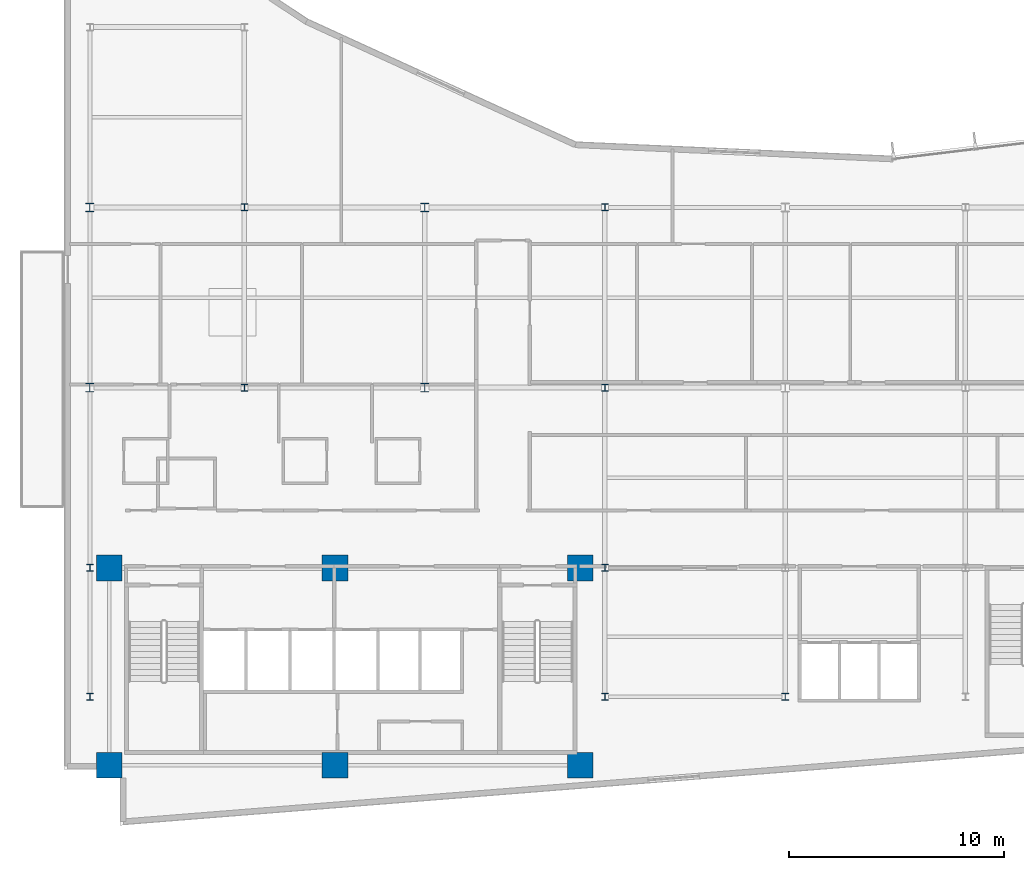
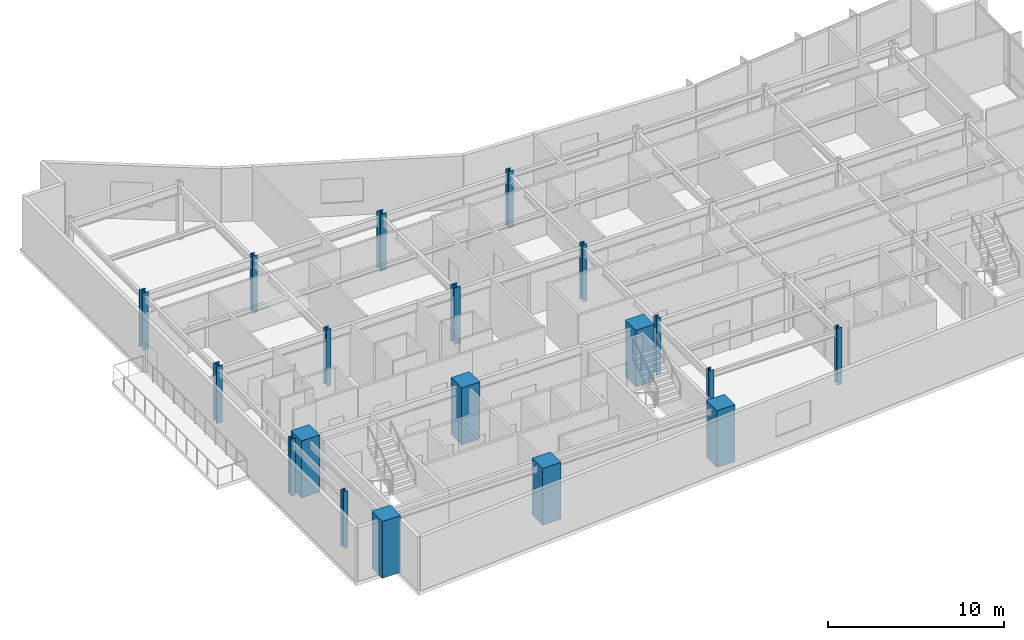
# One storey, part 1 of 17: 19 columns.
"""IFC4 building model written with IfcOpenShell, lengths in metres."""

from ifc_helpers import new_model, si_unit, direction, frame, origin, origin_2d, place, context, subcontext, project, spatial, rectangle, i_section, extrude, material, material_profile, profile_set, type_object, element, save


model = new_model("IFC4")

# Units and contexts
model_context = context("Model", 3, precision=1e-05, world=origin(), true_north=direction((0.0, 1.0)))
body_context = subcontext(model_context, "Body", "Model", "MODEL_VIEW")
ifc_project = project(units=[si_unit("LENGTHUNIT", "METRE"), si_unit("AREAUNIT", "SQUARE_METRE"), si_unit("VOLUMEUNIT", "CUBIC_METRE"), si_unit("PLANEANGLEUNIT", "RADIAN"), si_unit("MASSUNIT", "GRAM", prefix="KILO")], contexts=[model_context])

# Site, building, storey
site_placement = place(None, origin())
site = spatial("IfcSite", under=ifc_project, at=site_placement, CompositionType="ELEMENT")
building_placement = place(site_placement, origin())
building = spatial("IfcBuilding", under=site, at=building_placement, Name="Varnakote Quay Hospital", CompositionType="ELEMENT")
storey_placement = place(building_placement, frame((0.0, 0.0, 127.050048828125)))
storey = spatial("IfcBuildingStorey", under=building, at=storey_placement, Name="L31", CompositionType="ELEMENT", Elevation=127.050048828125)

# Columns
ifc_material_1 = material(Name="Concrete N80 (f'c 80 MPa)", Category="concrete")
ifc_material_profile_1 = material_profile(ifc_material_1, rectangle(XDim=1.199951171875, YDim=1.199951171875, at=origin_2d()), Name="RC-COL-1200x1200")
ifc_profile_set_1 = profile_set([ifc_material_profile_1], Name="Concrete N80 (f'c 80 MPa)")
column_type_1 = type_object("IfcColumnType", Name="COL-RC-1200", PredefinedType="COLUMN", material=ifc_profile_set_1)
for number, where, z_axis, x_axis, name in (
    (1, (2.10009765625, 2.800048828125, 0.0), (0.0, 0.0, 1.0), (1.0, 0.0, 0.0), "L31 Structural Column C-2-3"),
    (2, (12.6201171875, 2.800048828125, 0.0), (0.0, 0.0, 1.0), (1.0, 0.0, 0.0), "L31 Structural Column C-13-3"),
    (3, (24.050048828125, 2.800048828125, 0.0), (0.0, 0.0, 1.0), (1.0, 0.0, 0.0), "L31 Structural Column C-24-3"),
    (4, (2.10009765625, 12.0, 0.0), (0.0, 0.0, 1.0), (1.0, 0.0, 0.0), "L31 Structural Column C-2-12"),
    (5, (12.6201171875, 12.0, 0.0), (0.0, 0.0, 1.0), (1.0, 0.0, 0.0), "L31 Structural Column C-13-12"),
    (6, (24.050048828125, 12.0, 0.0), (0.0, 0.0, 1.0), (1.0, 0.0, 0.0), "L31 Structural Column C-24-12"),
):
    element("IfcColumn", number, at=place(storey_placement, frame(where, z_axis=z_axis, x_axis=x_axis)), inside=storey, type_object=column_type_1, Name=name, PredefinedType="COLUMN", context=body_context, shape_type="SweptSolid", body=[
        extrude(rectangle(XDim=1.199951171875, YDim=1.199951171875, at=origin_2d()), origin(), (0.0, 0.0, 1.0), 3.949951171875),
    ])
ifc_material_2 = material(Name="Structural steel AS/NZS 3679.1 Grade 350 L0 (fy 340 MPa)", Category="steel")
ifc_material_profile_2 = material_profile(ifc_material_2, i_section(OverallWidth=0.30908203125, OverallDepth=0.321044921875, WebThickness=0.013916015625, FlangeThickness=0.021728515625, FilletRadius=0.0166015625, at=origin_2d()), Name="310UC137")
ifc_profile_set_2 = profile_set([ifc_material_profile_2], Name="Structural steel AS/NZS 3679.1 Grade 350 L0 (fy 340 MPa)")
column_type_2 = type_object("IfcColumnType", Name="COL-STL-310UC137", PredefinedType="COLUMN", material=ifc_profile_set_2)
for number, where, z_axis, x_axis, name in (
    (7, (1.199951171875, 6.0, 0.0), (0.0, 0.0, 1.0), (1.0, 0.0, 0.0), "L31 Structural Column C-1-6"),
    (8, (25.199951171875, 6.0, 0.0), (0.0, 0.0, 1.0), (1.0, 0.0, 0.0), "L31 Structural Column C-25-6"),
    (9, (33.60009765625, 6.0, 0.0), (0.0, 0.0, 1.0), (1.0, 0.0, 0.0), "L31 Structural Column C-34-6"),
    (10, (1.199951171875, 12.0, 0.0), (0.0, 0.0, 1.0), (1.0, 0.0, 0.0), "L31 Structural Column C-1-12"),
    (11, (25.199951171875, 12.0, 0.0), (0.0, 0.0, 1.0), (1.0, 0.0, 0.0), "L31 Structural Column C-25-12"),
    (12, (8.39990234375, 20.39990234375, 0.0), (0.0, 0.0, 1.0), (1.0, 0.0, 0.0), "L31 Structural Column C-8-20"),
    (13, (25.199951171875, 20.39990234375, 0.0), (0.0, 0.0, 1.0), (1.0, 0.0, 0.0), "L31 Structural Column C-25-20"),
    (14, (8.39990234375, 28.800048828125, 0.0), (0.0, 0.0, 1.0), (1.0, 0.0, 0.0), "L31 Structural Column C-8-29"),
    (15, (25.199951171875, 28.800048828125, 0.0), (0.0, 0.0, 1.0), (1.0, 0.0, 0.0), "L31 Structural Column C-25-29"),
):
    element("IfcColumn", number, at=place(storey_placement, frame(where, z_axis=z_axis, x_axis=x_axis)), inside=storey, type_object=column_type_2, Name=name, PredefinedType="COLUMN", context=body_context, shape_type="SweptSolid", body=[
        extrude(i_section(OverallWidth=0.30908203125, OverallDepth=0.321044921875, WebThickness=0.013916015625, FlangeThickness=0.021728515625, FilletRadius=0.0166015625, at=origin_2d()), origin(), (0.0, 0.0, 1.0), 3.949951171875),
    ])
ifc_material_3 = material(Name="Structural steel AS/NZS 3678 Grade 350 (fy 340 MPa)", Category="steel")
ifc_material_profile_3 = material_profile(ifc_material_3, i_section(OverallWidth=0.39990234375, OverallDepth=0.419921875, WebThickness=0.02490234375, FlangeThickness=0.0400390625, at=origin_2d()), Name="400WC328")
ifc_profile_set_3 = profile_set([ifc_material_profile_3], Name="Structural steel AS/NZS 3678 Grade 350 (fy 340 MPa)")
column_type_3 = type_object("IfcColumnType", Name="COL-STL-400WC328", PredefinedType="COLUMN", material=ifc_profile_set_3)
for number, where, z_axis, x_axis, name in (
    (16, (1.199951171875, 20.39990234375, 0.0), (0.0, 0.0, 1.0), (1.0, 0.0, 0.0), "L31 Structural Column C-1-20"),
    (17, (16.800048828125, 20.39990234375, 0.0), (0.0, 0.0, 1.0), (1.0, 0.0, 0.0), "L31 Structural Column C-17-20"),
    (18, (1.199951171875, 28.800048828125, 0.0), (0.0, 0.0, 1.0), (1.0, 0.0, 0.0), "L31 Structural Column C-1-29"),
    (19, (16.800048828125, 28.800048828125, 0.0), (0.0, 0.0, 1.0), (1.0, 0.0, 0.0), "L31 Structural Column C-17-29"),
):
    element("IfcColumn", number, at=place(storey_placement, frame(where, z_axis=z_axis, x_axis=x_axis)), inside=storey, type_object=column_type_3, Name=name, PredefinedType="COLUMN", context=body_context, shape_type="SweptSolid", body=[
        extrude(i_section(OverallWidth=0.39990234375, OverallDepth=0.419921875, WebThickness=0.02490234375, FlangeThickness=0.0400390625, at=origin_2d()), origin(), (0.0, 0.0, 1.0), 3.949951171875),
    ])

save(model, "model.ifc")
